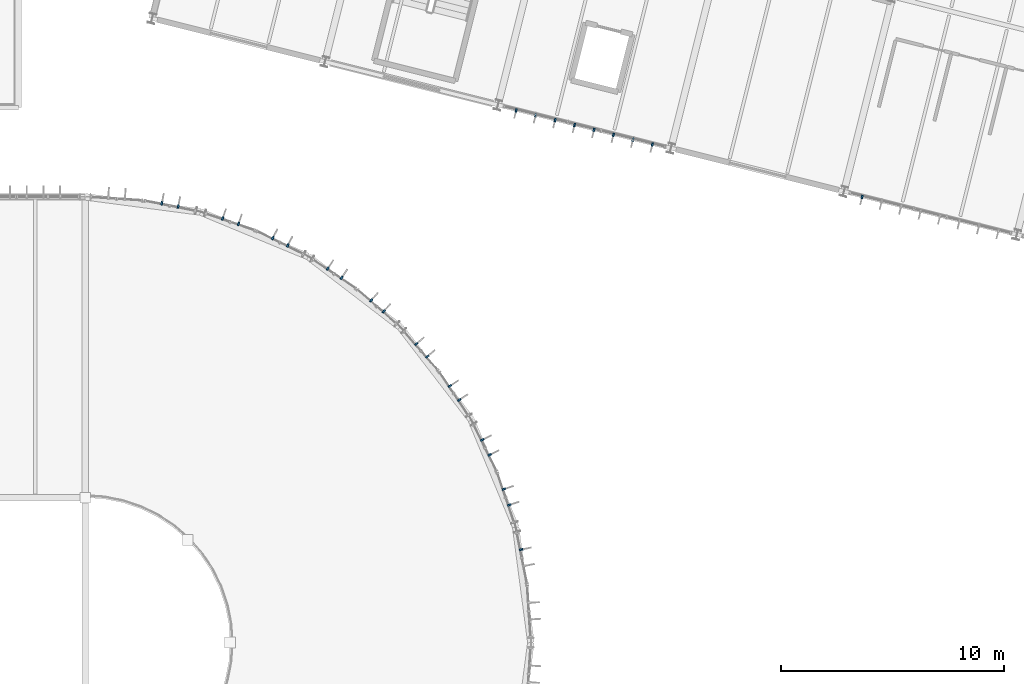
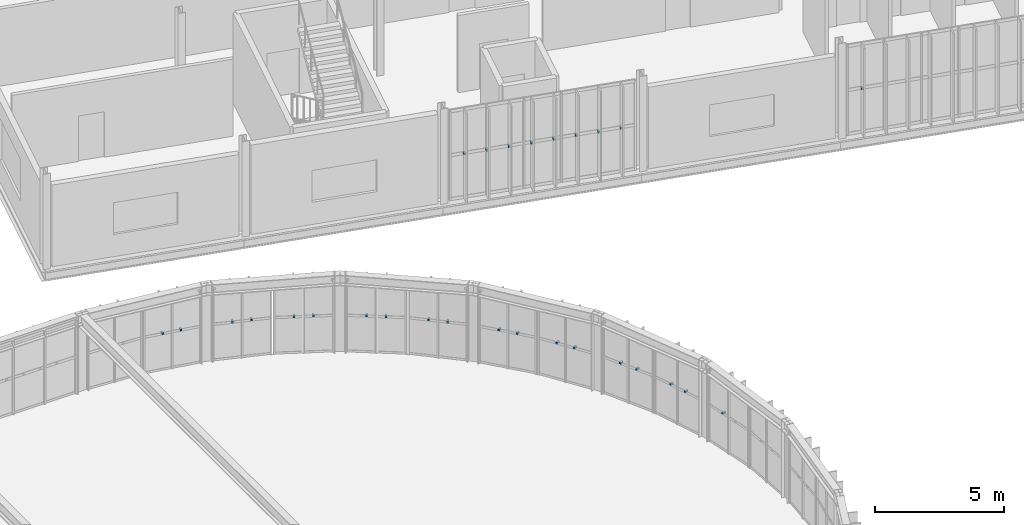
# One storey, part 137 of 152: 28 discrete accessories.
"""IFC4 building model written with IfcOpenShell, lengths in metres."""

from ifc_helpers import new_model, si_unit, derived_unit, direction, frame, origin, origin_2d, place, context, subcontext, project, spatial, rectangle, extrude, material, type_object, element, save


model = new_model("IFC4")

# Units and contexts
model_context = context("Model", 3, precision=1e-05, world=origin(), true_north=direction((0.0, 1.0)))
body_context = subcontext(model_context, "Body", "Model", "MODEL_VIEW")
ifc_project = project(units=[si_unit("LENGTHUNIT", "METRE"), si_unit("AREAUNIT", "SQUARE_METRE"), si_unit("VOLUMEUNIT", "CUBIC_METRE"), si_unit("PLANEANGLEUNIT", "RADIAN"), si_unit("MASSUNIT", "GRAM", prefix="KILO"), si_unit("THERMODYNAMICTEMPERATUREUNIT", "KELVIN"), si_unit("TIMEUNIT", "SECOND"), derived_unit("THERMALTRANSMITTANCEUNIT", [(si_unit("MASSUNIT", "GRAM", prefix="KILO"), 1), (si_unit("THERMODYNAMICTEMPERATUREUNIT", "KELVIN"), -1), (si_unit("TIMEUNIT", "SECOND"), -3)])], contexts=[model_context])

# Site, building, storey
site_placement = place(None, origin())
site = spatial("IfcSite", under=ifc_project, at=site_placement, CompositionType="ELEMENT")
building_placement = place(site_placement, origin())
building = spatial("IfcBuilding", under=site, at=building_placement, Name="Cambertide Market Hall", CompositionType="ELEMENT")
storey_placement = place(building_placement, frame((0.0, 0.0, 5.39990234375)))
storey = spatial("IfcBuildingStorey", under=building, at=storey_placement, Name="L02", CompositionType="ELEMENT", Elevation=5.39990234375)

# Discrete accessories
ifc_material = material(Name="Stainless Steel Grade 316", Category="metal")
discrete_accessory_type = type_object("IfcDiscreteAccessoryType", Name="Stainless Fin Outrigger Tie Bracket", PredefinedType="BRACKET", material=ifc_material)
for number, where, z_axis, x_axis, name in (
    (1, (124.559326171875, 76.1708984375, 1.68505859375), (0.0, 0.0, 1.0), (0.195090068226, -0.980785330885, 0.0), "CW-V1AE-L02-14 Fin Tie Bracket 1"),
    (2, (123.783203125, 78.877685546875, 1.68505859375), (0.0, 0.0, 1.0), (0.32143947831, -0.94693012508, 0.0), "CW-V1AE-L02-15 Fin Tie Bracket 1"),
    (3, (124.0244140625, 78.16748046875, 1.68505859375), (0.0, 0.0, 1.0), (0.32143947831, -0.94693012508, 0.0), "CW-V1AE-L02-15 Fin Tie Bracket 2"),
    (4, (122.813232421875, 81.091064453125, 1.68505859375), (0.0, 0.0, 1.0), (0.442288874522, -0.896872650645, 0.0), "CW-V1AE-L02-16 Fin Tie Bracket 1"),
    (5, (123.14501953125, 80.41845703125, 1.68505859375), (0.0, 0.0, 1.0), (0.442288874522, -0.896872650645, 0.0), "CW-V1AE-L02-16 Fin Tie Bracket 2"),
    (6, (121.363037109375, 83.5048828125, 1.68505859375), (0.0, 0.0, 1.0), (0.555570087582, -0.831469709481, 0.0), "CW-V1AE-L02-17 Fin Tie Bracket 1"),
    (7, (121.77978515625, 82.881103515625, 1.68505859375), (0.0, 0.0, 1.0), (0.555570087582, -0.831469709481, 0.0), "CW-V1AE-L02-17 Fin Tie Bracket 2"),
    (8, (119.853271484375, 85.391845703125, 1.68505859375), (0.0, 0.0, 1.0), (0.659345784014, -0.751839834741, 0.0), "CW-V1AE-L02-18 Fin Tie Bracket 1"),
    (9, (120.347900390625, 84.827880859375, 1.68505859375), (0.0, 0.0, 1.0), (0.659345784014, -0.751839834741, 0.0), "CW-V1AE-L02-18 Fin Tie Bracket 2"),
    (10, (117.827880859375, 87.347900390625, 1.68505859375), (0.0, 0.0, 1.0), (0.751839834741, -0.659345784014, 0.0), "CW-V1AE-L02-19 Fin Tie Bracket 1"),
    (11, (118.391845703125, 86.853271484375, 1.68505859375), (0.0, 0.0, 1.0), (0.751839834741, -0.659345784014, 0.0), "CW-V1AE-L02-19 Fin Tie Bracket 2"),
    (12, (115.881103515625, 88.77978515625, 1.68505859375), (0.0, 0.0, 1.0), (0.831469709481, -0.555570087582, 0.0), "CW-V1AE-L02-20 Fin Tie Bracket 1"),
    (13, (116.5048828125, 88.363037109375, 1.68505859375), (0.0, 0.0, 1.0), (0.831469709481, -0.555570087582, 0.0), "CW-V1AE-L02-20 Fin Tie Bracket 2"),
    (14, (113.41845703125, 90.14501953125, 1.68505859375), (0.0, 0.0, 1.0), (0.896872650645, -0.442288874522, 0.0), "CW-V1AE-L02-21 Fin Tie Bracket 1"),
    (15, (114.091064453125, 89.813232421875, 1.68505859375), (0.0, 0.0, 1.0), (0.896872650645, -0.442288874522, 0.0), "CW-V1AE-L02-21 Fin Tie Bracket 2"),
    (16, (111.16748046875, 91.0244140625, 1.68505859375), (0.0, 0.0, 1.0), (0.94693012508, -0.32143947831, 0.0), "CW-V1AE-L02-22 Fin Tie Bracket 1"),
    (17, (111.877685546875, 90.783203125, 1.68505859375), (0.0, 0.0, 1.0), (0.94693012508, -0.32143947831, 0.0), "CW-V1AE-L02-22 Fin Tie Bracket 2"),
    (18, (108.435302734375, 91.70556640625, 1.68505859375), (0.0, 0.0, 1.0), (0.980785330885, -0.195090068226, 0.0), "CW-V1AE-L02-23 Fin Tie Bracket 1"),
    (19, (109.1708984375, 91.559326171875, 1.68505859375), (0.0, 0.0, 1.0), (0.980785330885, -0.195090068226, 0.0), "CW-V1AE-L02-23 Fin Tie Bracket 2"),
    (20, (130.44921875, 94.346435546875, 2.070068359375), (0.0, 0.0, 1.0), (-0.970142531436, 0.242535499875, 0.0), "CW-V4S-L02-3 Fin Tie Bracket 1"),
    (21, (129.575927734375, 94.564697265625, 2.070068359375), (0.0, 0.0, 1.0), (-0.970142531436, 0.242535499875, 0.0), "CW-V4S-L02-3 Fin Tie Bracket 2"),
    (22, (128.702880859375, 94.782958984375, 2.070068359375), (0.0, 0.0, 1.0), (-0.970142531436, 0.242535499875, 0.0), "CW-V4S-L02-3 Fin Tie Bracket 3"),
    (23, (127.829833984375, 95.001220703125, 2.070068359375), (0.0, 0.0, 1.0), (-0.970142531436, 0.242535499875, 0.0), "CW-V4S-L02-3 Fin Tie Bracket 4"),
    (24, (126.95654296875, 95.2197265625, 2.070068359375), (0.0, 0.0, 1.0), (-0.970142531436, 0.242535499875, 0.0), "CW-V4S-L02-3 Fin Tie Bracket 5"),
    (25, (126.08349609375, 95.43798828125, 2.070068359375), (0.0, 0.0, 1.0), (-0.970142531436, 0.242535499875, 0.0), "CW-V4S-L02-3 Fin Tie Bracket 6"),
    (26, (125.21044921875, 95.65625, 2.070068359375), (0.0, 0.0, 1.0), (-0.970142531436, 0.242535499875, 0.0), "CW-V4S-L02-3 Fin Tie Bracket 7"),
    (27, (124.337158203125, 95.87451171875, 2.070068359375), (0.0, 0.0, 1.0), (-0.970142531436, 0.242535499875, 0.0), "CW-V4S-L02-3 Fin Tie Bracket 8"),
    (28, (139.859375, 91.993896484375, 2.070068359375), (0.0, 0.0, 1.0), (-0.970142531436, 0.242535499875, 0.0), "CW-V4S-L02-5 Fin Tie Bracket 8"),
):
    element("IfcDiscreteAccessory", number, at=place(storey_placement, frame(where, z_axis=z_axis, x_axis=x_axis)), inside=storey, type_object=discrete_accessory_type, Name=name, PredefinedType="BRACKET", context=body_context, shape_type="SweptSolid", body=[
        extrude(rectangle(XDim=0.080078125, YDim=0.159912109375, at=origin_2d()), origin(), (0.0, 0.0, 1.0), 0.080078125),
    ])

save(model, "model.ifc")
